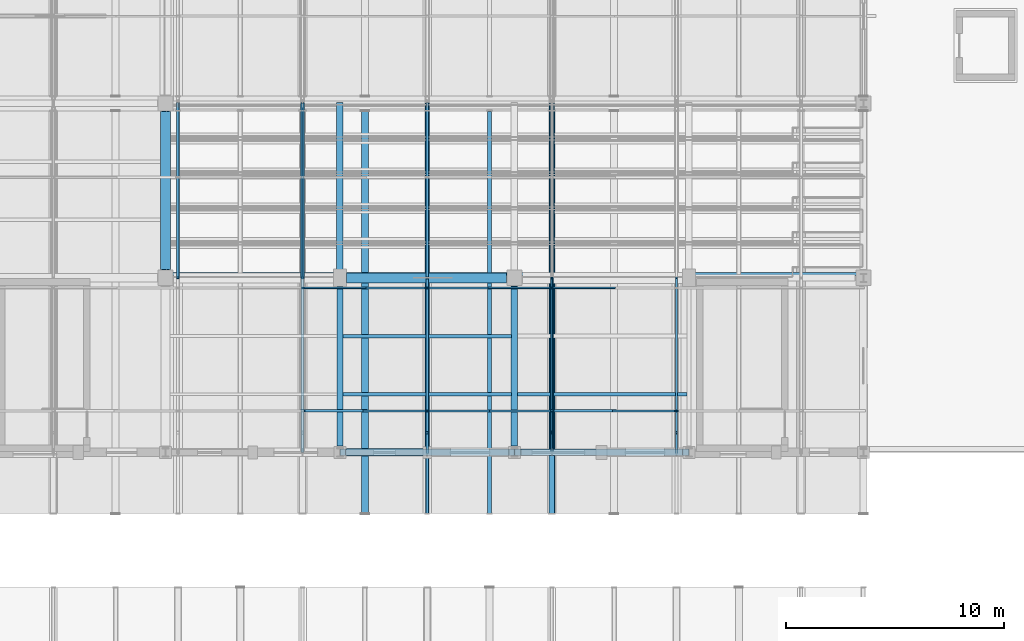
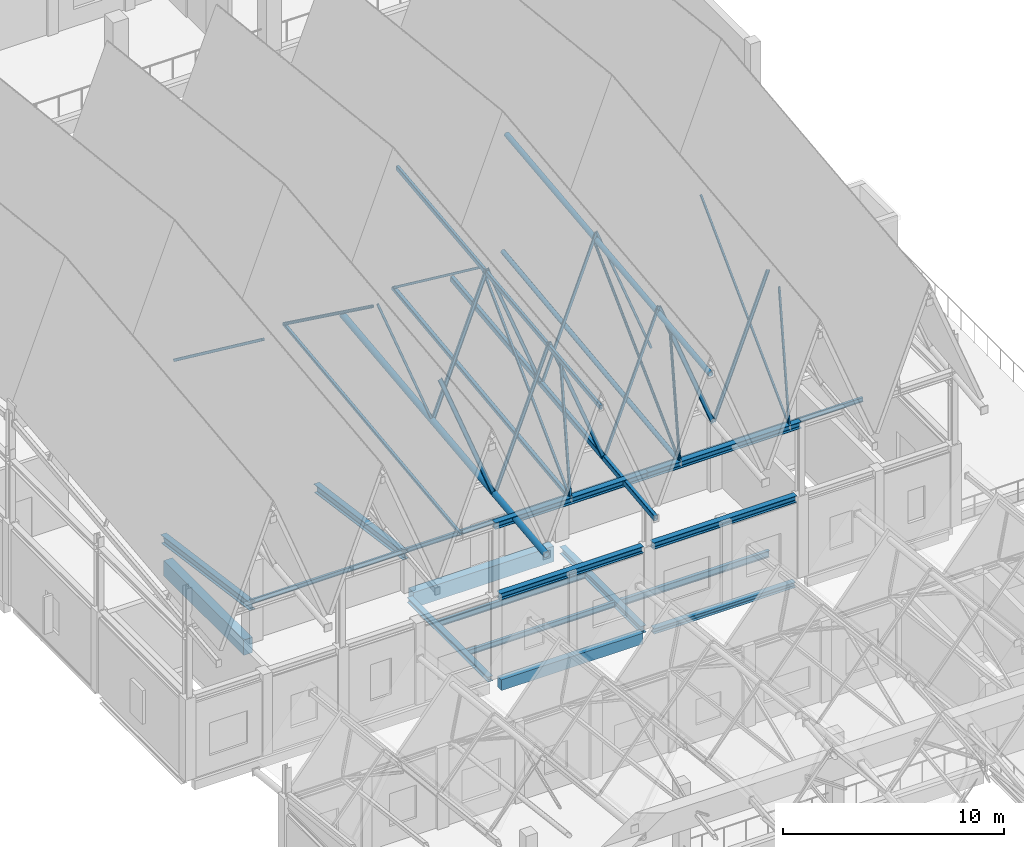
# One storey, part 15 of 77: 23 members, 20 beams.
"""IFC4 building model written with IfcOpenShell, lengths in metres."""

from ifc_helpers import new_model, si_unit, direction, frame, origin, origin_2d, place, context, subcontext, project, spatial, rectangle, hollow_rectangle, hollow_circle, i_section, extrude, material, material_profile, profile_set, type_object, element, save


model = new_model("IFC4")

# Units and contexts
model_context = context("Model", 3, precision=1e-05, world=origin(), true_north=direction((0.0, 1.0)))
body_context = subcontext(model_context, "Body", "Model", "MODEL_VIEW")
ifc_project = project(units=[si_unit("LENGTHUNIT", "METRE"), si_unit("AREAUNIT", "SQUARE_METRE"), si_unit("VOLUMEUNIT", "CUBIC_METRE"), si_unit("PLANEANGLEUNIT", "RADIAN"), si_unit("MASSUNIT", "GRAM", prefix="KILO")], contexts=[model_context])

# Site, building, storey
site_placement = place(None, origin())
site = spatial("IfcSite", under=ifc_project, at=site_placement, CompositionType="ELEMENT")
building_placement = place(site_placement, origin())
building = spatial("IfcBuilding", under=site, at=building_placement, Name="Luwemba Playhouse", CompositionType="ELEMENT")
storey_placement = place(building_placement, frame((0.0, 0.0, 9.300048828125)))
storey = spatial("IfcBuildingStorey", under=building, at=storey_placement, Name="L02", CompositionType="ELEMENT", Elevation=9.300048828125)

# Beams
ifc_material_1 = material(Name="Concrete C40/50", Category="concrete")
ifc_material_profile_1 = material_profile(ifc_material_1, rectangle(XDim=0.449951171875, YDim=0.85009765625, at=origin_2d()))
ifc_profile_set_1 = profile_set([ifc_material_profile_1], Name="Concrete C40/50")
beam_type_1 = type_object("IfcBeamType", Name="BM-RB05", PredefinedType="BEAM", material=ifc_profile_set_1)
beam_1_placement = place(storey_placement, frame((20.300048828125, 44.0, -0.675048828125), z_axis=(1.0, 0.0, 0.0), x_axis=(0.0, 1.0, 0.0)))
element("IfcBeam", 1, at=beam_1_placement, inside=storey, type_object=beam_type_1, Name="L02 grid girder 0647", PredefinedType="BEAM", context=body_context, shape_type="SweptSolid", body=[
    extrude(rectangle(XDim=0.449951171875, YDim=0.85009765625, at=origin_2d()), origin(), (0.0, 0.0, 1.0), 7.324951171875),
])
beam_2_placement = place(storey_placement, frame((12.0, 44.375, -0.675048828125), z_axis=(0.0, 1.0, 0.0), x_axis=(-1.0, 0.0, 0.0)))
element("IfcBeam", 2, at=beam_2_placement, inside=storey, type_object=beam_type_1, Name="L02 transverse girder 0659", PredefinedType="BEAM", context=body_context, shape_type="SweptSolid", body=[
    extrude(rectangle(XDim=0.449951171875, YDim=0.85009765625, at=origin_2d()), origin(), (0.0, 0.0, 1.0), 7.25),
])
ifc_material_2 = material(Name="Steel S355", Category="steel")
ifc_material_profile_2 = material_profile(ifc_material_2, i_section(OverallWidth=0.300048828125, OverallDepth=0.449951171875, WebThickness=0.013916015625, FlangeThickness=0.02587890625, FilletRadius=0.027099609375, at=origin_2d()))
ifc_profile_set_2 = profile_set([ifc_material_profile_2], Name="Steel S355")
beam_type_2 = type_object("IfcBeamType", Name="BM-RK2", PredefinedType="USERDEFINED", material=ifc_profile_set_2)
for number, where, z_axis, x_axis, name in (
    (3, (12.0, 44.0, 1.804931640625), (0.0, 0.990343904486, -0.138632430721), (-1.0, 0.0, 0.0), "RAKER girder Upper Circle 11"),
    (4, (20.0, 44.0, 1.804931640625), (0.0, 0.990343904486, -0.138632430721), (-1.0, 0.0, 0.0), "RAKER girder Upper Circle 12"),
):
    element("IfcBeam", number, at=place(storey_placement, frame(where, z_axis=z_axis, x_axis=x_axis)), inside=storey, type_object=beam_type_2, Name=name, ObjectType="RAKER", PredefinedType="USERDEFINED", context=body_context, shape_type="SweptSolid", body=[
        extrude(i_section(OverallWidth=0.300048828125, OverallDepth=0.449951171875, WebThickness=0.013916015625, FlangeThickness=0.02587890625, FilletRadius=0.027099609375, at=origin_2d()), origin(), (0.0, 0.0, 1.0), 8.077880859375),
    ])
ifc_material_profile_3 = material_profile(ifc_material_2, hollow_rectangle(XDim=0.14990234375, YDim=0.25, WallThickness=0.010009765625, InnerFilletRadius=0.014892578125, OuterFilletRadius=0.02490234375, at=origin_2d()))
ifc_profile_set_3 = profile_set([ifc_material_profile_3], Name="Steel S355")
beam_type_3 = type_object("IfcBeamType", Name="BM-RTG1", PredefinedType="USERDEFINED", material=ifc_profile_set_3)
beam_3_placement = place(storey_placement, frame((24.0, 33.199951171875, 15.09814453125), z_axis=(0.0, 0.993768859886, 0.111460545135), x_axis=(-1.0, 0.0, 0.0)))
element("IfcBeam", 5, at=beam_3_placement, inside=storey, type_object=beam_type_3, Name="ROOF TRUSS ridge girder 0036", ObjectType="ROOF TRUSS", PredefinedType="USERDEFINED", context=body_context, shape_type="SweptSolid", body=[
    extrude(hollow_rectangle(XDim=0.14990234375, YDim=0.25, WallThickness=0.010009765625, InnerFilletRadius=0.014892578125, OuterFilletRadius=0.02490234375, at=origin_2d()), origin(), (0.0, 0.0, 1.0), 18.565673828125),
])
ifc_material_profile_4 = material_profile(ifc_material_2, hollow_rectangle(XDim=0.199951171875, YDim=0.300048828125, WallThickness=0.012451171875, InnerFilletRadius=0.018798828125, OuterFilletRadius=0.03125, at=origin_2d()))
ifc_profile_set_4 = profile_set([ifc_material_profile_4], Name="Steel S355")
beam_type_4 = type_object("IfcBeamType", Name="BM-RTG2", PredefinedType="USERDEFINED", material=ifc_profile_set_4)
beam_4_placement = place(storey_placement, frame((26.857177734375, 33.199951171875, 7.975830078125), z_axis=(0.0, 0.993768859886, 0.111460545135), x_axis=(-1.0, 0.0, 0.0)))
element("IfcBeam", 6, at=beam_4_placement, inside=storey, type_object=beam_type_4, Name="ROOF TRUSS valley girder 0038", ObjectType="ROOF TRUSS", PredefinedType="USERDEFINED", context=body_context, shape_type="SweptSolid", body=[
    extrude(hollow_rectangle(XDim=0.199951171875, YDim=0.300048828125, WallThickness=0.012451171875, InnerFilletRadius=0.018798828125, OuterFilletRadius=0.03125, at=origin_2d()), origin(), (0.0, 0.0, 1.0), 18.565673828125),
])
ifc_material_profile_5 = material_profile(ifc_material_2, hollow_circle(Radius=0.136474609375, WallThickness=0.012451171875, at=origin_2d()))
ifc_profile_set_5 = profile_set([ifc_material_profile_5], Name="Steel S355")
beam_type_5 = type_object("IfcBeamType", Name="BM-RTG3", PredefinedType="USERDEFINED", material=ifc_profile_set_5)
beam_5_placement = place(storey_placement, frame((29.71435546875, 33.199951171875, 14.92724609375), z_axis=(0.0, 0.993768859886, 0.111460545135), x_axis=(-1.0, 0.0, 0.0)))
element("IfcBeam", 7, at=beam_5_placement, inside=storey, type_object=beam_type_5, Name="ROOF TRUSS ridge girder 0040", ObjectType="ROOF TRUSS", PredefinedType="USERDEFINED", context=body_context, shape_type="SweptSolid", body=[
    extrude(hollow_circle(Radius=0.136474609375, WallThickness=0.012451171875, at=origin_2d()), origin(), (0.0, 0.0, 1.0), 18.565673828125),
])
ifc_material_profile_6 = material_profile(ifc_material_2, hollow_circle(Radius=0.161865234375, WallThickness=0.01611328125, at=origin_2d()))
ifc_profile_set_6 = profile_set([ifc_material_profile_6], Name="Steel S355")
beam_type_6 = type_object("IfcBeamType", Name="BM-RTG4", PredefinedType="USERDEFINED", material=ifc_profile_set_6)
beam_6_placement = place(storey_placement, frame((21.142822265625, 33.199951171875, 7.9638671875), z_axis=(0.0, 0.993767403215, 0.111473531871), x_axis=(-1.0, 0.0, 0.0)))
element("IfcBeam", 8, at=beam_6_placement, inside=storey, type_object=beam_type_6, Name="ROOF TRUSS valley girder 0034", ObjectType="ROOF TRUSS", PredefinedType="USERDEFINED", context=body_context, shape_type="SweptSolid", body=[
    extrude(hollow_circle(Radius=0.161865234375, WallThickness=0.01611328125, at=origin_2d()), origin(), (0.0, 0.0, 1.0), 18.565673828125),
])
ifc_material_profile_7 = material_profile(ifc_material_2, i_section(OverallWidth=0.280029296875, OverallDepth=0.27001953125, WebThickness=0.008056640625, FlangeThickness=0.012939453125, FilletRadius=0.02392578125, at=origin_2d()))
ifc_profile_set_7 = profile_set([ifc_material_profile_7], Name="Steel S355")
beam_type_7 = type_object("IfcBeamType", Name="BM-SB02", PredefinedType="BEAM", material=ifc_profile_set_7)
beam_7_placement = place(storey_placement, frame((20.0, 36.300048828125, -0.385009765625), z_axis=(0.0, 1.0, 0.0), x_axis=(-1.0, 0.0, 0.0)))
element("IfcBeam", 9, at=beam_7_placement, inside=storey, type_object=beam_type_7, Name="L02 transverse girder 0662", PredefinedType="BEAM", context=body_context, shape_type="SweptSolid", body=[
    extrude(i_section(OverallWidth=0.280029296875, OverallDepth=0.27001953125, WebThickness=0.008056640625, FlangeThickness=0.012939453125, FilletRadius=0.02392578125, at=origin_2d()), origin(), (0.0, 0.0, 1.0), 7.300048828125),
])
ifc_material_profile_8 = material_profile(ifc_material_2, i_section(OverallWidth=0.300048828125, OverallDepth=0.389892578125, WebThickness=0.010986328125, FlangeThickness=0.01904296875, FilletRadius=0.027099609375, at=origin_2d()))
ifc_profile_set_8 = profile_set([ifc_material_profile_8], Name="Steel S355")
beam_type_8 = type_object("IfcBeamType", Name="BM-SB05", PredefinedType="BEAM", material=ifc_profile_set_8)
beam_8_placement = place(storey_placement, frame((28.0, 36.300048828125, -0.445068359375), z_axis=(0.0, 1.0, 0.0), x_axis=(-1.0, 0.0, 0.0)))
element("IfcBeam", 10, at=beam_8_placement, inside=storey, type_object=beam_type_8, Name="L02 transverse girder 0663", PredefinedType="BEAM", context=body_context, shape_type="SweptSolid", body=[
    extrude(i_section(OverallWidth=0.300048828125, OverallDepth=0.389892578125, WebThickness=0.010986328125, FlangeThickness=0.01904296875, FilletRadius=0.027099609375, at=origin_2d()), origin(), (0.0, 0.0, 1.0), 7.324951171875),
])
ifc_material_profile_9 = material_profile(ifc_material_2, i_section(OverallWidth=0.300048828125, OverallDepth=0.360107421875, WebThickness=0.012451171875, FlangeThickness=0.0224609375, FilletRadius=0.027099609375, at=origin_2d()))
ifc_profile_set_9 = profile_set([ifc_material_profile_9], Name="Steel S355")
beam_type_9 = type_object("IfcBeamType", Name="BM-SB09", PredefinedType="BEAM", material=ifc_profile_set_9)
for number, where, z_axis, x_axis, name in (
    (11, (20.25, 36.0, 4.320068359375), (1.0, 0.0, 0.0), (0.0, 1.0, 0.0), "L02 V1 auditorium clerestory spandrel beam 07"),
    (12, (28.25, 36.0, 4.320068359375), (1.0, 0.0, 0.0), (0.0, 1.0, 0.0), "L02 V1 auditorium clerestory spandrel beam 08"),
):
    element("IfcBeam", number, at=place(storey_placement, frame(where, z_axis=z_axis, x_axis=x_axis)), inside=storey, type_object=beam_type_9, Name=name, PredefinedType="BEAM", context=body_context, shape_type="SweptSolid", body=[
        extrude(i_section(OverallWidth=0.300048828125, OverallDepth=0.360107421875, WebThickness=0.012451171875, FlangeThickness=0.0224609375, FilletRadius=0.027099609375, at=origin_2d()), origin(), (0.0, 0.0, 1.0), 7.5),
    ])
for number, where, z_axis, x_axis, name in (
    (13, (20.0, 36.0, 8.320068359375), (1.0, 0.0, 0.0), (0.0, 1.0, 0.0), "RF-V1 eave ring beam 0003"),
    (14, (28.0, 36.0, 8.320068359375), (1.0, 0.0, 0.0), (0.0, 1.0, 0.0), "RF-V1 eave ring beam 0004"),
):
    element("IfcBeam", number, at=place(storey_placement, frame(where, z_axis=z_axis, x_axis=x_axis)), inside=storey, type_object=beam_type_9, Name=name, PredefinedType="BEAM", context=body_context, shape_type="SweptSolid", body=[
        extrude(i_section(OverallWidth=0.300048828125, OverallDepth=0.360107421875, WebThickness=0.012451171875, FlangeThickness=0.0224609375, FilletRadius=0.027099609375, at=origin_2d()), origin(), (0.0, 0.0, 1.0), 8.0),
    ])
ifc_material_profile_10 = material_profile(ifc_material_2, i_section(OverallWidth=0.1201171875, OverallDepth=0.239990234375, WebThickness=0.006103515625, FlangeThickness=0.009765625, FilletRadius=0.014892578125, at=origin_2d()))
ifc_profile_set_10 = profile_set([ifc_material_profile_10], Name="Steel S355")
beam_type_10 = type_object("IfcBeamType", Name="BM-SJ03", PredefinedType="JOIST", material=ifc_profile_set_10)
beam_9_placement = place(storey_placement, frame((12.0, 44.179931640625, 1.905029296875), z_axis=(1.0, 0.0, 0.0), x_axis=(0.0, 1.0, 0.0)))
element("IfcBeam", 15, at=beam_9_placement, inside=storey, type_object=beam_type_10, Name="Stand Upper Circle step bearer 13-1", PredefinedType="JOIST", context=body_context, shape_type="SweptSolid", body=[
    extrude(i_section(OverallWidth=0.1201171875, OverallDepth=0.239990234375, WebThickness=0.006103515625, FlangeThickness=0.009765625, FilletRadius=0.014892578125, at=origin_2d()), origin(), (0.0, 0.0, 1.0), 32.0),
])
ifc_material_profile_11 = material_profile(ifc_material_2, i_section(OverallWidth=0.14990234375, OverallDepth=0.300048828125, WebThickness=0.007080078125, FlangeThickness=0.0107421875, FilletRadius=0.014892578125, at=origin_2d()))
ifc_profile_set_11 = profile_set([ifc_material_profile_11], Name="Steel S355")
beam_type_11 = type_object("IfcBeamType", Name="BM-SJ05", PredefinedType="JOIST", material=ifc_profile_set_11)
beam_10_placement = place(storey_placement, frame((20.135986328125, 38.666748046875, -0.400146484375), z_axis=(1.0, 0.0, 0.0), x_axis=(0.0, 1.0, 0.0)))
element("IfcBeam", 16, at=beam_10_placement, inside=storey, type_object=beam_type_11, Name="L02 composite floor joist 0395", PredefinedType="JOIST", context=body_context, shape_type="SweptSolid", body=[
    extrude(i_section(OverallWidth=0.14990234375, OverallDepth=0.300048828125, WebThickness=0.007080078125, FlangeThickness=0.0107421875, FilletRadius=0.014892578125, at=origin_2d()), origin(), (0.0, 0.0, 1.0), 7.718017578125),
])
ifc_material_profile_12 = material_profile(ifc_material_2, i_section(OverallWidth=0.159912109375, OverallDepth=0.330078125, WebThickness=0.007568359375, FlangeThickness=0.011474609375, FilletRadius=0.01806640625, at=origin_2d()))
ifc_profile_set_12 = profile_set([ifc_material_profile_12], Name="Steel S355")
beam_type_12 = type_object("IfcBeamType", Name="BM-SJ06", PredefinedType="JOIST", material=ifc_profile_set_12)
beam_11_placement = place(storey_placement, frame((20.135986328125, 41.333251953125, -0.4150390625), z_axis=(1.0, 0.0, 0.0), x_axis=(0.0, 1.0, 0.0)))
element("IfcBeam", 17, at=beam_11_placement, inside=storey, type_object=beam_type_12, Name="L02 composite floor joist 0396", PredefinedType="JOIST", context=body_context, shape_type="SweptSolid", body=[
    extrude(i_section(OverallWidth=0.159912109375, OverallDepth=0.330078125, WebThickness=0.007568359375, FlangeThickness=0.011474609375, FilletRadius=0.01806640625, at=origin_2d()), origin(), (0.0, 0.0, 1.0), 7.718017578125),
])
ifc_material_profile_13 = material_profile(ifc_material_2, i_section(OverallWidth=0.169921875, OverallDepth=0.360107421875, WebThickness=0.008056640625, FlangeThickness=0.0126953125, FilletRadius=0.01806640625, at=origin_2d()))
ifc_profile_set_13 = profile_set([ifc_material_profile_13], Name="Steel S355")
beam_type_13 = type_object("IfcBeamType", Name="BM-SJ07", PredefinedType="JOIST", material=ifc_profile_set_13)
beam_12_placement = place(storey_placement, frame((28.14599609375, 38.666748046875, -0.429931640625), z_axis=(1.0, 0.0, 0.0), x_axis=(0.0, 1.0, 0.0)))
element("IfcBeam", 18, at=beam_12_placement, inside=storey, type_object=beam_type_13, Name="L02 composite floor joist 0397", PredefinedType="JOIST", context=body_context, shape_type="SweptSolid", body=[
    extrude(i_section(OverallWidth=0.169921875, OverallDepth=0.360107421875, WebThickness=0.008056640625, FlangeThickness=0.0126953125, FilletRadius=0.01806640625, at=origin_2d()), origin(), (0.0, 0.0, 1.0), 7.762939453125),
])
ifc_material_profile_14 = material_profile(ifc_material_1, rectangle(XDim=0.35009765625, YDim=0.60009765625, at=origin_2d()))
ifc_profile_set_14 = profile_set([ifc_material_profile_14], Name="Concrete C40/50")
beam_type_14 = type_object("IfcBeamType", Name="BM-SP3", PredefinedType="SPANDREL", material=ifc_profile_set_14)
beam_13_placement = place(storey_placement, frame((20.300048828125, 36.0, -0.550048828125), z_axis=(1.0, 0.0, 0.0), x_axis=(0.0, 1.0, 0.0)))
element("IfcBeam", 19, at=beam_13_placement, inside=storey, type_object=beam_type_14, Name="L02 grid girder 0642", PredefinedType="SPANDREL", context=body_context, shape_type="SweptSolid", body=[
    extrude(rectangle(XDim=0.35009765625, YDim=0.60009765625, at=origin_2d()), origin(), (0.0, 0.0, 1.0), 7.39990234375),
])
ifc_material_profile_15 = material_profile(ifc_material_2, i_section(OverallWidth=0.300048828125, OverallDepth=0.300048828125, WebThickness=0.010986328125, FlangeThickness=0.01904296875, FilletRadius=0.027099609375, at=origin_2d()))
ifc_profile_set_15 = profile_set([ifc_material_profile_15], Name="Steel S355")
beam_type_15 = type_object("IfcBeamType", Name="BM-SSP1", PredefinedType="SPANDREL", material=ifc_profile_set_15)
beam_14_placement = place(storey_placement, frame((28.300048828125, 36.0, -0.400146484375), z_axis=(1.0, 0.0, 0.0), x_axis=(0.0, 1.0, 0.0)))
element("IfcBeam", 20, at=beam_14_placement, inside=storey, type_object=beam_type_15, Name="L02 grid girder 0643", PredefinedType="SPANDREL", context=body_context, shape_type="SweptSolid", body=[
    extrude(i_section(OverallWidth=0.300048828125, OverallDepth=0.300048828125, WebThickness=0.010986328125, FlangeThickness=0.01904296875, FilletRadius=0.027099609375, at=origin_2d()), origin(), (0.0, 0.0, 1.0), 7.39990234375),
])

# Members
ifc_material_profile_16 = material_profile(ifc_material_2, hollow_circle(Radius=0.06982421875, WallThickness=0.008056640625, at=origin_2d()))
ifc_profile_set_16 = profile_set([ifc_material_profile_16], Name="Steel S355")
member_type_1 = type_object("IfcMemberType", Name="MEM-MB01", PredefinedType="BRACE", material=ifc_profile_set_16)
member_1_placement = place(storey_placement, frame((29.71435546875, 36.0, 8.39990234375), z_axis=(0.0, 0.718744269729, 0.695274531917), x_axis=(-1.0, 0.0, 0.0)))
element("IfcMember", 21, at=member_1_placement, inside=storey, type_object=member_type_1, Name="ROOF TRUSS web diagonal 0027", PredefinedType="BRACE", context=body_context, shape_type="SweptSolid", body=[
    extrude(hollow_circle(Radius=0.06982421875, WallThickness=0.008056640625, at=origin_2d()), origin(), (0.0, 0.0, 1.0), 11.130615234375),
])
member_2_placement = place(storey_placement, frame((29.71435546875, 36.0, 8.39990234375), z_axis=(0.0, 0.128553393461, 0.991702589), x_axis=(-1.0, 0.0, 0.0)))
element("IfcMember", 22, at=member_2_placement, inside=storey, type_object=member_type_1, Name="ROOF TRUSS eave knee strut 0005", PredefinedType="BRACE", context=body_context, shape_type="SweptSolid", body=[
    extrude(hollow_circle(Radius=0.06982421875, WallThickness=0.008056640625, at=origin_2d()), origin(), (0.0, 0.0, 1.0), 7.000244140625),
])
ifc_material_profile_17 = material_profile(ifc_material_2, hollow_circle(Radius=0.084228515625, WallThickness=0.008056640625, at=origin_2d()))
ifc_profile_set_17 = profile_set([ifc_material_profile_17], Name="Steel S355")
member_type_2 = type_object("IfcMemberType", Name="MEM-MB02", PredefinedType="BRACE", material=ifc_profile_set_17)
member_3_placement = place(storey_placement, frame((18.28564453125, 52.0, 10.314697265625), z_axis=(0.0, -0.8084575316, 0.5885545171), x_axis=(1.0, 0.0, 0.0)))
element("IfcMember", 23, at=member_3_placement, inside=storey, type_object=member_type_2, Name="ROOF TRUSS web diagonal 0016", PredefinedType="BRACE", context=body_context, shape_type="SweptSolid", body=[
    extrude(hollow_circle(Radius=0.084228515625, WallThickness=0.008056640625, at=origin_2d()), origin(), (0.0, 0.0, 1.0), 9.8955078125),
])
ifc_material_profile_18 = material_profile(ifc_material_2, hollow_rectangle(XDim=0.10009765625, YDim=0.10009765625, WallThickness=0.00634765625, InnerFilletRadius=0.009521484375, OuterFilletRadius=0.015869140625, at=origin_2d()))
ifc_profile_set_18 = profile_set([ifc_material_profile_18], Name="Steel S355")
member_type_3 = type_object("IfcMemberType", Name="MEM-MB05", PredefinedType="BRACE", material=ifc_profile_set_18)
member_4_placement = place(storey_placement, frame((35.4287109375, 36.0, 8.39990234375), z_axis=(0.0, 0.71111013522, 0.703080632351), x_axis=(-1.0, 0.0, 0.0)))
element("IfcMember", 24, at=member_4_placement, inside=storey, type_object=member_type_3, Name="ROOF TRUSS web diagonal 0033", PredefinedType="BRACE", context=body_context, shape_type="SweptSolid", body=[
    extrude(hollow_rectangle(XDim=0.10009765625, YDim=0.10009765625, WallThickness=0.00634765625, InnerFilletRadius=0.009521484375, OuterFilletRadius=0.015869140625, at=origin_2d()), origin(), (0.0, 0.0, 1.0), 11.25),
])
member_5_placement = place(storey_placement, frame((35.4287109375, 36.0, 8.39990234375), z_axis=(0.0, 0.125514005522, 0.992091847773), x_axis=(-1.0, 0.0, 0.0)))
element("IfcMember", 25, at=member_5_placement, inside=storey, type_object=member_type_3, Name="ROOF TRUSS eave knee strut 0006", PredefinedType="BRACE", context=body_context, shape_type="SweptSolid", body=[
    extrude(hollow_rectangle(XDim=0.10009765625, YDim=0.10009765625, WallThickness=0.00634765625, InnerFilletRadius=0.009521484375, OuterFilletRadius=0.015869140625, at=origin_2d()), origin(), (0.0, 0.0, 1.0), 7.169677734375),
])
ifc_material_profile_19 = material_profile(ifc_material_2, hollow_rectangle(XDim=0.1201171875, YDim=0.1201171875, WallThickness=0.008056640625, InnerFilletRadius=0.011962890625, OuterFilletRadius=0.02001953125, at=origin_2d()))
ifc_profile_set_19 = profile_set([ifc_material_profile_19], Name="Steel S355")
member_type_4 = type_object("IfcMemberType", Name="MEM-MB06", PredefinedType="BRACE", material=ifc_profile_set_19)
member_6_placement = place(storey_placement, frame((24.0, 36.0, 8.39990234375), z_axis=(0.0, 0.71111013522, 0.703080632351), x_axis=(-1.0, 0.0, 0.0)))
element("IfcMember", 26, at=member_6_placement, inside=storey, type_object=member_type_4, Name="ROOF TRUSS web diagonal 0021", PredefinedType="BRACE", context=body_context, shape_type="SweptSolid", body=[
    extrude(hollow_rectangle(XDim=0.1201171875, YDim=0.1201171875, WallThickness=0.008056640625, InnerFilletRadius=0.011962890625, OuterFilletRadius=0.02001953125, at=origin_2d()), origin(), (0.0, 0.0, 1.0), 11.25),
])
member_7_placement = place(storey_placement, frame((24.0, 52.0, 10.314697265625), z_axis=(0.0, -0.800246102123, 0.59967172356), x_axis=(1.0, 0.0, 0.0)))
element("IfcMember", 27, at=member_7_placement, inside=storey, type_object=member_type_4, Name="ROOF TRUSS web diagonal 0022", PredefinedType="BRACE", context=body_context, shape_type="SweptSolid", body=[
    extrude(hollow_rectangle(XDim=0.1201171875, YDim=0.1201171875, WallThickness=0.008056640625, InnerFilletRadius=0.011962890625, OuterFilletRadius=0.02001953125, at=origin_2d()), origin(), (0.0, 0.0, 1.0), 9.996826171875),
])
member_8_placement = place(storey_placement, frame((24.0, 36.0, 8.39990234375), z_axis=(0.0, 0.125509765517, 0.992092384186), x_axis=(-1.0, 0.0, 0.0)))
element("IfcMember", 28, at=member_8_placement, inside=storey, type_object=member_type_4, Name="ROOF TRUSS eave knee strut 0004", PredefinedType="BRACE", context=body_context, shape_type="SweptSolid", body=[
    extrude(hollow_rectangle(XDim=0.1201171875, YDim=0.1201171875, WallThickness=0.008056640625, InnerFilletRadius=0.011962890625, OuterFilletRadius=0.02001953125, at=origin_2d()), origin(), (0.0, 0.0, 1.0), 7.169921875),
])
ifc_material_profile_20 = material_profile(ifc_material_2, hollow_rectangle(XDim=0.139892578125, YDim=0.139892578125, WallThickness=0.008056640625, InnerFilletRadius=0.011962890625, OuterFilletRadius=0.02001953125, at=origin_2d()))
ifc_profile_set_20 = profile_set([ifc_material_profile_20], Name="Steel S355")
member_type_5 = type_object("IfcMemberType", Name="MEM-MB07", PredefinedType="BRACE", material=ifc_profile_set_20)
member_9_placement = place(storey_placement, frame((12.5712890625, 52.0, 10.314697265625), z_axis=(0.0, -0.800246102123, 0.59967172356), x_axis=(1.0, 0.0, 0.0)))
element("IfcMember", 29, at=member_9_placement, inside=storey, type_object=member_type_5, Name="ROOF TRUSS web diagonal 0010", PredefinedType="BRACE", context=body_context, shape_type="SweptSolid", body=[
    extrude(hollow_rectangle(XDim=0.139892578125, YDim=0.139892578125, WallThickness=0.008056640625, InnerFilletRadius=0.011962890625, OuterFilletRadius=0.02001953125, at=origin_2d()), origin(), (0.0, 0.0, 1.0), 9.996826171875),
])
ifc_material_profile_21 = material_profile(ifc_material_2, hollow_circle(Radius=0.122314453125, WallThickness=0.012451171875, at=origin_2d()))
ifc_profile_set_21 = profile_set([ifc_material_profile_21], Name="Steel S355")
member_type_6 = type_object("IfcMemberType", Name="MEM-MC01", PredefinedType="CHORD", material=ifc_profile_set_21)
member_10_placement = place(storey_placement, frame((29.71435546875, 36.0, 8.39990234375), z_axis=(0.0, 0.992914998684, 0.118826787333), x_axis=(-1.0, 0.0, 0.0)))
element("IfcMember", 30, at=member_10_placement, inside=storey, type_object=member_type_6, Name="ROOF TRUSS south bottom chord 0025", PredefinedType="CHORD", context=body_context, shape_type="SweptSolid", body=[
    extrude(hollow_circle(Radius=0.122314453125, WallThickness=0.012451171875, at=origin_2d()), origin(), (0.0, 0.0, 1.0), 16.1142578125),
])
ifc_material_profile_22 = material_profile(ifc_material_2, hollow_rectangle(XDim=0.14990234375, YDim=0.14990234375, WallThickness=0.010009765625, InnerFilletRadius=0.014892578125, OuterFilletRadius=0.02490234375, at=origin_2d()))
ifc_profile_set_22 = profile_set([ifc_material_profile_22], Name="Steel S355")
member_type_7 = type_object("IfcMemberType", Name="MEM-MC02", PredefinedType="CHORD", material=ifc_profile_set_22)
member_11_placement = place(storey_placement, frame((18.28564453125, 36.0, 8.39990234375), z_axis=(0.0, 0.992914998684, 0.118826787333), x_axis=(-1.0, 0.0, 0.0)))
element("IfcMember", 31, at=member_11_placement, inside=storey, type_object=member_type_7, Name="ROOF TRUSS south bottom chord 0013", PredefinedType="CHORD", context=body_context, shape_type="SweptSolid", body=[
    extrude(hollow_rectangle(XDim=0.14990234375, YDim=0.14990234375, WallThickness=0.010009765625, InnerFilletRadius=0.014892578125, OuterFilletRadius=0.02490234375, at=origin_2d()), origin(), (0.0, 0.0, 1.0), 16.1142578125),
])
ifc_material_profile_23 = material_profile(ifc_material_2, hollow_rectangle(XDim=0.199951171875, YDim=0.199951171875, WallThickness=0.012451171875, InnerFilletRadius=0.018798828125, OuterFilletRadius=0.03125, at=origin_2d()))
ifc_profile_set_23 = profile_set([ifc_material_profile_23], Name="Steel S355")
member_type_8 = type_object("IfcMemberType", Name="MEM-MC04", PredefinedType="CHORD", material=ifc_profile_set_23)
member_12_placement = place(storey_placement, frame((24.0, 36.0, 8.39990234375), z_axis=(0.0, 0.992914998684, 0.118826787333), x_axis=(-1.0, 0.0, 0.0)))
element("IfcMember", 32, at=member_12_placement, inside=storey, type_object=member_type_8, Name="ROOF TRUSS south bottom chord 0019", PredefinedType="CHORD", context=body_context, shape_type="SweptSolid", body=[
    extrude(hollow_rectangle(XDim=0.199951171875, YDim=0.199951171875, WallThickness=0.012451171875, InnerFilletRadius=0.018798828125, OuterFilletRadius=0.03125, at=origin_2d()), origin(), (0.0, 0.0, 1.0), 16.1142578125),
])
ifc_material_profile_24 = material_profile(ifc_material_2, hollow_rectangle(XDim=0.080078125, YDim=0.1201171875, WallThickness=0.00634765625, InnerFilletRadius=0.009521484375, OuterFilletRadius=0.015869140625, at=origin_2d()))
ifc_profile_set_24 = profile_set([ifc_material_profile_24], Name="Steel S355")
member_type_9 = type_object("IfcMemberType", Name="MEM-MP01", PredefinedType="PURLIN", material=ifc_profile_set_24)
member_13_placement = place(storey_placement, frame((18.28564453125, 43.5400390625, 16.532470703125), z_axis=(0.359955831838, 0.0, -0.932969345223), x_axis=(0.0, 1.0, 0.0)))
element("IfcMember", 33, at=member_13_placement, inside=storey, type_object=member_type_9, Name="Pleated roof purlin 0032", PredefinedType="PURLIN", context=body_context, shape_type="SweptSolid", body=[
    extrude(hollow_rectangle(XDim=0.080078125, YDim=0.1201171875, WallThickness=0.00634765625, InnerFilletRadius=0.009521484375, OuterFilletRadius=0.015869140625, at=origin_2d()), origin(), (0.0, 0.0, 1.0), 7.9375),
])
member_14_placement = place(storey_placement, frame((29.71435546875, 43.5400390625, 16.5322265625), z_axis=(0.359949717536, 0.0, -0.932971704204), x_axis=(0.0, 1.0, 0.0)))
element("IfcMember", 34, at=member_14_placement, inside=storey, type_object=member_type_9, Name="Pleated roof purlin 0056", PredefinedType="PURLIN", context=body_context, shape_type="SweptSolid", body=[
    extrude(hollow_rectangle(XDim=0.080078125, YDim=0.1201171875, WallThickness=0.00634765625, InnerFilletRadius=0.009521484375, OuterFilletRadius=0.015869140625, at=origin_2d()), origin(), (0.0, 0.0, 1.0), 7.93701171875),
])
ifc_material_profile_25 = material_profile(ifc_material_2, hollow_rectangle(XDim=0.10009765625, YDim=0.14990234375, WallThickness=0.008056640625, InnerFilletRadius=0.011962890625, OuterFilletRadius=0.02001953125, at=origin_2d()))
ifc_profile_set_25 = profile_set([ifc_material_profile_25], Name="Steel S355")
member_type_10 = type_object("IfcMemberType", Name="MEM-MP02", PredefinedType="PURLIN", material=ifc_profile_set_25)
member_15_placement = place(storey_placement, frame((26.857177734375, 37.89990234375, 8.453369140625), z_axis=(0.359955831838, 0.0, 0.932969345223), x_axis=(0.0, 1.0, 0.0)))
element("IfcMember", 35, at=member_15_placement, inside=storey, type_object=member_type_10, Name="Pleated roof purlin 0049", PredefinedType="PURLIN", context=body_context, shape_type="SweptSolid", body=[
    extrude(hollow_rectangle(XDim=0.10009765625, YDim=0.14990234375, WallThickness=0.008056640625, InnerFilletRadius=0.011962890625, OuterFilletRadius=0.02001953125, at=origin_2d()), origin(), (0.0, 0.0, 1.0), 7.9375),
])
ifc_material_profile_26 = material_profile(ifc_material_2, hollow_rectangle(XDim=0.080078125, YDim=0.159912109375, WallThickness=0.00634765625, InnerFilletRadius=0.009521484375, OuterFilletRadius=0.015869140625, at=origin_2d()))
ifc_profile_set_26 = profile_set([ifc_material_profile_26], Name="Steel S355")
member_type_11 = type_object("IfcMemberType", Name="MEM-MP03", PredefinedType="PURLIN", material=ifc_profile_set_26)
member_16_placement = place(storey_placement, frame((26.857177734375, 43.5400390625, 9.10693359375), z_axis=(0.359955831838, 0.0, 0.932969345223), x_axis=(0.0, 1.0, 0.0)))
element("IfcMember", 36, at=member_16_placement, inside=storey, type_object=member_type_11, Name="Pleated roof purlin 0050", PredefinedType="PURLIN", context=body_context, shape_type="SweptSolid", body=[
    extrude(hollow_rectangle(XDim=0.080078125, YDim=0.159912109375, WallThickness=0.00634765625, InnerFilletRadius=0.009521484375, OuterFilletRadius=0.015869140625, at=origin_2d()), origin(), (0.0, 0.0, 1.0), 7.9375),
])
ifc_material_profile_27 = material_profile(ifc_material_2, hollow_rectangle(XDim=0.10009765625, YDim=0.179931640625, WallThickness=0.008056640625, InnerFilletRadius=0.011962890625, OuterFilletRadius=0.02001953125, at=origin_2d()))
ifc_profile_set_27 = profile_set([ifc_material_profile_27], Name="Steel S355")
member_type_12 = type_object("IfcMemberType", Name="MEM-MP04", PredefinedType="PURLIN", material=ifc_profile_set_27)
member_17_placement = place(storey_placement, frame((24.0, 37.89990234375, 15.84375), z_axis=(0.359966161358, 0.0, -0.932965359849), x_axis=(0.0, 1.0, 0.0)))
element("IfcMember", 37, at=member_17_placement, inside=storey, type_object=member_type_12, Name="Pleated roof purlin 0043", PredefinedType="PURLIN", context=body_context, shape_type="SweptSolid", body=[
    extrude(hollow_rectangle(XDim=0.10009765625, YDim=0.179931640625, WallThickness=0.008056640625, InnerFilletRadius=0.011962890625, OuterFilletRadius=0.02001953125, at=origin_2d()), origin(), (0.0, 0.0, 1.0), 7.937255859375),
])
ifc_material_profile_28 = material_profile(ifc_material_2, i_section(OverallWidth=0.08203125, OverallDepth=0.159912109375, WebThickness=0.0048828125, FlangeThickness=0.00732421875, FilletRadius=0.009033203125, at=origin_2d()))
ifc_profile_set_28 = profile_set([ifc_material_profile_28], Name="Steel S355")
member_type_13 = type_object("IfcMemberType", Name="MEM-MP05", PredefinedType="PURLIN", material=ifc_profile_set_28)
member_18_placement = place(storey_placement, frame((24.0, 43.5400390625, 16.509765625), z_axis=(0.359966161358, 0.0, -0.932965359849), x_axis=(0.0, 1.0, 0.0)))
element("IfcMember", 38, at=member_18_placement, inside=storey, type_object=member_type_13, Name="Pleated roof purlin 0044", PredefinedType="PURLIN", context=body_context, shape_type="SweptSolid", body=[
    extrude(i_section(OverallWidth=0.08203125, OverallDepth=0.159912109375, WebThickness=0.0048828125, FlangeThickness=0.00732421875, FilletRadius=0.009033203125, at=origin_2d()), origin(), (0.0, 0.0, 1.0), 7.937255859375),
])
ifc_material_profile_29 = material_profile(ifc_material_2, i_section(OverallWidth=0.091064453125, OverallDepth=0.179931640625, WebThickness=0.00537109375, FlangeThickness=0.008056640625, FilletRadius=0.009033203125, at=origin_2d()))
ifc_profile_set_29 = profile_set([ifc_material_profile_29], Name="Steel S355")
member_type_14 = type_object("IfcMemberType", Name="MEM-MP06", PredefinedType="PURLIN", material=ifc_profile_set_29)
member_19_placement = place(storey_placement, frame((21.142822265625, 37.89990234375, 8.4501953125), z_axis=(0.359966161358, 0.0, 0.932965359849), x_axis=(0.0, 1.0, 0.0)))
element("IfcMember", 39, at=member_19_placement, inside=storey, type_object=member_type_14, Name="Pleated roof purlin 0037", PredefinedType="PURLIN", context=body_context, shape_type="SweptSolid", body=[
    extrude(i_section(OverallWidth=0.091064453125, OverallDepth=0.179931640625, WebThickness=0.00537109375, FlangeThickness=0.008056640625, FilletRadius=0.009033203125, at=origin_2d()), origin(), (0.0, 0.0, 1.0), 7.937255859375),
])
member_20_placement = place(storey_placement, frame((32.5712890625, 37.89990234375, 8.449951171875), z_axis=(0.35998260376, 0.0, 0.932959015708), x_axis=(0.0, 1.0, 0.0)))
element("IfcMember", 40, at=member_20_placement, inside=storey, type_object=member_type_14, Name="Pleated roof purlin 0061", PredefinedType="PURLIN", context=body_context, shape_type="SweptSolid", body=[
    extrude(i_section(OverallWidth=0.091064453125, OverallDepth=0.179931640625, WebThickness=0.00537109375, FlangeThickness=0.008056640625, FilletRadius=0.009033203125, at=origin_2d()), origin(), (0.0, 0.0, 1.0), 7.937744140625),
])
ifc_material_profile_30 = material_profile(ifc_material_2, i_section(OverallWidth=0.10009765625, OverallDepth=0.199951171875, WebThickness=0.005615234375, FlangeThickness=0.008544921875, FilletRadius=0.011962890625, at=origin_2d()))
ifc_profile_set_30 = profile_set([ifc_material_profile_30], Name="Steel S355")
member_type_15 = type_object("IfcMemberType", Name="MEM-MP07", PredefinedType="PURLIN", material=ifc_profile_set_30)
member_21_placement = place(storey_placement, frame((21.142822265625, 43.5400390625, 9.061279296875), z_axis=(0.359966161358, 0.0, 0.932965359849), x_axis=(0.0, 1.0, 0.0)))
element("IfcMember", 41, at=member_21_placement, inside=storey, type_object=member_type_15, Name="Pleated roof purlin 0038", PredefinedType="PURLIN", context=body_context, shape_type="SweptSolid", body=[
    extrude(i_section(OverallWidth=0.10009765625, OverallDepth=0.199951171875, WebThickness=0.005615234375, FlangeThickness=0.008544921875, FilletRadius=0.011962890625, at=origin_2d()), origin(), (0.0, 0.0, 1.0), 7.937255859375),
])
ifc_material_profile_31 = material_profile(ifc_material_2, i_section(OverallWidth=0.110107421875, OverallDepth=0.219970703125, WebThickness=0.005859375, FlangeThickness=0.00927734375, FilletRadius=0.011962890625, at=origin_2d()))
ifc_profile_set_31 = profile_set([ifc_material_profile_31], Name="Steel S355")
member_type_16 = type_object("IfcMemberType", Name="MEM-MP08", PredefinedType="PURLIN", material=ifc_profile_set_31)
for number, where, z_axis, x_axis, name in (
    (42, (18.28564453125, 37.89990234375, 15.810791015625), (0.359966161358, 0.0, -0.932965359849), (0.0, 1.0, 0.0), "Pleated roof purlin 0031"),
    (43, (29.71435546875, 37.89990234375, 15.810791015625), (0.359939388007, 0.0, -0.932975689373), (0.0, 1.0, 0.0), "Pleated roof purlin 0055"),
):
    element("IfcMember", number, at=place(storey_placement, frame(where, z_axis=z_axis, x_axis=x_axis)), inside=storey, type_object=member_type_16, Name=name, PredefinedType="PURLIN", context=body_context, shape_type="SweptSolid", body=[
        extrude(i_section(OverallWidth=0.110107421875, OverallDepth=0.219970703125, WebThickness=0.005859375, FlangeThickness=0.00927734375, FilletRadius=0.011962890625, at=origin_2d()), origin(), (0.0, 0.0, 1.0), 7.937255859375),
    ])

save(model, "model.ifc")
